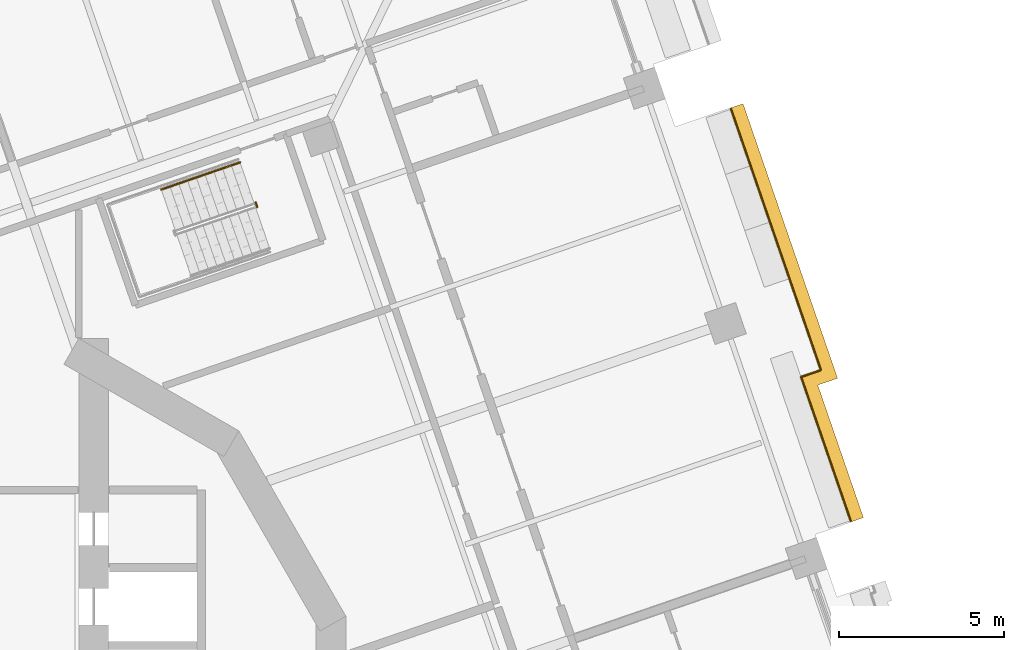
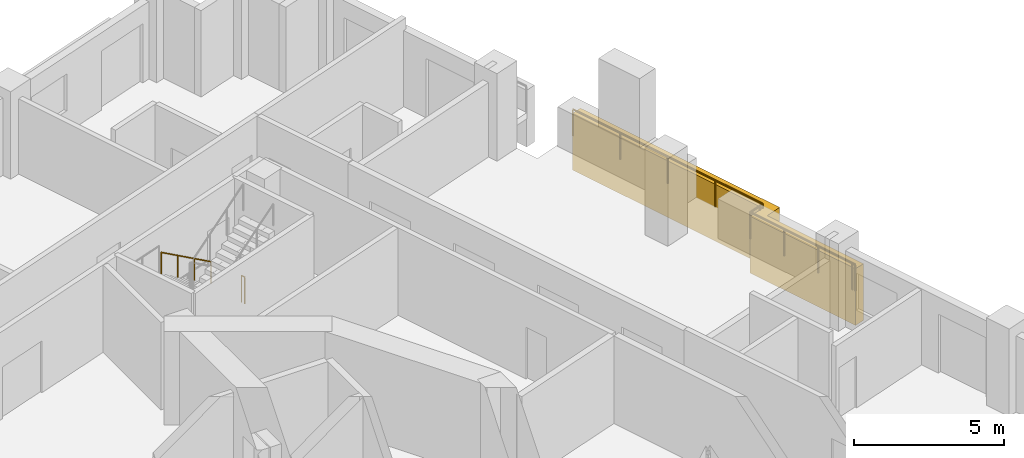
# One storey, part 17 of 19: 3 railings, 1 covering.
"""IFC4 building model written with IfcOpenShell, lengths in metres."""

from ifc_helpers import new_model, si_unit, direction, frame, origin, origin_2d, place, context, subcontext, project, spatial, polyline, circle, outline, extrude, material, type_object, element, save


model = new_model("IFC4")

# Units and contexts
model_context = context("Model", 3, precision=1e-05, world=origin(), true_north=direction((0.0, 1.0)))
body_context = subcontext(model_context, "Body", "Model", "MODEL_VIEW")
ifc_project = project(units=[si_unit("LENGTHUNIT", "METRE"), si_unit("AREAUNIT", "SQUARE_METRE"), si_unit("VOLUMEUNIT", "CUBIC_METRE"), si_unit("PLANEANGLEUNIT", "RADIAN"), si_unit("MASSUNIT", "GRAM", prefix="KILO")], contexts=[model_context])

# Site, building, storey
site_placement = place(None, origin())
site = spatial("IfcSite", under=ifc_project, at=site_placement, CompositionType="ELEMENT")
building_placement = place(site_placement, origin())
building = spatial("IfcBuilding", under=site, at=building_placement, Name="Cantera Rosa Tower", CompositionType="ELEMENT")
storey_placement = place(building_placement, frame((0.0, 0.0, 123.10009765625)))
storey = spatial("IfcBuildingStorey", under=building, at=storey_placement, Name="L25", CompositionType="ELEMENT", Elevation=123.10009765625)

# Railings
ifc_material_1 = material(Name="Stainless steel and laminated glass", Category="steel")
railing_type_1 = type_object("IfcRailingType", Name="GUARD 1100", PredefinedType="BALUSTRADE", material=ifc_material_1)
railing_1_placement = place(storey_placement, frame((23.713134765625, 18.582763671875, 0.0)))
element("IfcRailing", 1, at=railing_1_placement, inside=storey, type_object=railing_type_1, Name="GUARD L25-12", PredefinedType="BALUSTRADE", context=body_context, shape_type="SweptSolid", body=[
    extrude(circle(Radius=0.030029296875, at=origin_2d()), frame((0.0, 0.0, 1.070068359375), z_axis=(0.325567716601, -0.945518726365, 0.0), x_axis=(0.945518726365, 0.325567716601, 0.0)), (0.0, 0.0, 1.0), 8.361328125),
    extrude(circle(Radius=0.030029296875, at=origin_2d()), frame((2.72216796875, -7.90576171875, 1.070068359375), z_axis=(-0.945545797087, -0.325489086777, 0.0), x_axis=(0.325489086777, -0.945545797087, 0.0)), (0.0, 0.0, 1.0), 0.14990234375),
    extrude(circle(Radius=0.030029296875, at=origin_2d()), frame((2.580322265625, -7.95458984375, 1.070068359375), z_axis=(-0.94547584758, -0.325692219193, 0.0), x_axis=(0.325692219193, -0.94547584758, 0.0)), (0.0, 0.0, 1.0), 0.47900390625),
    extrude(circle(Radius=0.030029296875, at=origin_2d()), frame((2.12744140625, -8.110595703125, 1.070068359375), z_axis=(-0.933345606203, -0.358979079309, 0.0), x_axis=(0.358979079309, -0.933345606203, 0.0)), (0.0, 0.0, 1.0), 0.00341796875),
    extrude(circle(Radius=0.030029296875, at=origin_2d()), frame((2.124267578125, -8.11181640625, 1.070068359375), z_axis=(0.274721127897, -0.961523947641, 0.0), x_axis=(0.961523947641, 0.274721127897, 0.0)), (0.0, 0.0, 1.0), 0.003662109375),
    extrude(circle(Radius=0.030029296875, at=origin_2d()), frame((2.125244140625, -8.115234375, 1.070068359375), z_axis=(0.325548760318, -0.945525253315, 0.0), x_axis=(0.945525253315, 0.325548760318, 0.0)), (0.0, 0.0, 1.0), 4.4951171875),
    extrude(circle(Radius=0.030029296875, at=origin_2d()), frame((3.588623046875, -12.365478515625, 1.070068359375), z_axis=(0.4472135955, -0.894427191, 0.0), x_axis=(0.894427191, 0.4472135955, 0.0)), (0.0, 0.0, 1.0), 0.00048828125),
    extrude(circle(Radius=0.030029296875, at=origin_2d()), frame((3.5888671875, -12.365966796875, 1.070068359375), z_axis=(0.324794306508, -0.945784678698, 0.0), x_axis=(0.945784678698, 0.324794306508, 0.0)), (0.0, 0.0, 1.0), 0.11962890625),
    extrude(circle(Radius=0.02490234375, at=origin_2d()), origin(), (0.0, 0.0, 1.0), 1.0400390625),
    extrude(circle(Radius=0.02490234375, at=origin_2d()), frame((0.6806640625, -1.9765625, 0.0)), (0.0, 0.0, 1.0), 1.0400390625),
    extrude(circle(Radius=0.02490234375, at=origin_2d()), frame((1.361083984375, -3.952880859375, 0.0)), (0.0, 0.0, 1.0), 1.0400390625),
    extrude(circle(Radius=0.02490234375, at=origin_2d()), frame((2.04150390625, -5.92919921875, 0.0)), (0.0, 0.0, 1.0), 1.0400390625),
    extrude(circle(Radius=0.02490234375, at=origin_2d()), frame((2.72216796875, -7.90576171875, 0.0)), (0.0, 0.0, 1.0), 1.0400390625),
    extrude(circle(Radius=0.02490234375, at=origin_2d()), frame((2.580322265625, -7.95458984375, 0.0)), (0.0, 0.0, 1.0), 1.0400390625),
    extrude(circle(Radius=0.02490234375, at=origin_2d()), frame((2.12744140625, -8.110595703125, 0.0)), (0.0, 0.0, 1.0), 1.0400390625),
    extrude(circle(Radius=0.02490234375, at=origin_2d()), frame((2.124267578125, -8.11181640625, 0.0)), (0.0, 0.0, 1.0), 1.0400390625),
    extrude(circle(Radius=0.02490234375, at=origin_2d()), frame((2.125244140625, -8.115234375, 0.0)), (0.0, 0.0, 1.0), 1.0400390625),
    extrude(circle(Radius=0.02490234375, at=origin_2d()), frame((2.613037109375, -9.531982421875, 0.0)), (0.0, 0.0, 1.0), 1.0400390625),
    extrude(circle(Radius=0.02490234375, at=origin_2d()), frame((3.100830078125, -10.94873046875, 0.0)), (0.0, 0.0, 1.0), 1.0400390625),
    extrude(circle(Radius=0.02490234375, at=origin_2d()), frame((3.588623046875, -12.365478515625, 0.0)), (0.0, 0.0, 1.0), 1.0400390625),
    extrude(circle(Radius=0.02490234375, at=origin_2d()), frame((3.5888671875, -12.365966796875, 0.0)), (0.0, 0.0, 1.0), 1.0400390625),
    extrude(circle(Radius=0.02490234375, at=origin_2d()), frame((3.627685546875, -12.47900390625, 0.0)), (0.0, 0.0, 1.0), 1.0400390625),
])
ifc_material_2 = material(Name="Steel S355J2 (EN 10025-2)", Category="steel")
railing_type_2 = type_object("IfcRailingType", Name="STAIR GUARD 1100", PredefinedType="GUARDRAIL", material=ifc_material_2)
railing_2_placement = place(storey_placement, frame((9.3466796875, 15.742919921875, 0.0)))
element("IfcRailing", 2, at=railing_2_placement, inside=storey, type_object=railing_type_2, Name="L25 ST-21 stair guard 3", PredefinedType="GUARDRAIL", context=body_context, shape_type="SweptSolid", body=[
    extrude(circle(Radius=0.02392578125, at=origin_2d()), frame((0.0, 0.0, 1.076171875), z_axis=(0.325489086777, -0.945545797087, 0.0), x_axis=(0.945545797087, 0.325489086777, 0.0)), (0.0, 0.0, 1.0), 0.14990234375),
    extrude(circle(Radius=0.02099609375, at=origin_2d()), origin(), (0.0, 0.0, 1.0), 1.052001953125),
    extrude(circle(Radius=0.02099609375, at=origin_2d()), frame((0.048828125, -0.141845703125, 0.0)), (0.0, 0.0, 1.0), 1.052001953125),
])
ifc_material_3 = material(Name="Steel S355J2 (EN 10025-2)", Category="steel")
railing_type_3 = type_object("IfcRailingType", Name="STAIR HANDRAIL 900", PredefinedType="HANDRAIL", material=ifc_material_3)
railing_3_placement = place(storey_placement, frame((8.8759765625, 16.955810546875, 0.18994140625)))
element("IfcRailing", 3, at=railing_3_placement, inside=storey, type_object=railing_type_3, Name="L25 ST-21 stair handrail 1", PredefinedType="HANDRAIL", context=body_context, shape_type="SweptSolid", body=[
    extrude(circle(Radius=0.02392578125, at=origin_2d()), frame((0.0, 0.0, 0.8759765625), z_axis=(-0.782389970342, -0.269374966733, 0.561518531845), x_axis=(0.325542759796, -0.945527319301, 0.0)), (0.0, 0.0, 1.0), 3.045166015625),
    extrude(circle(Radius=0.02099609375, at=origin_2d()), origin(), (0.0, 0.0, 1.0), 0.851806640625),
    extrude(circle(Radius=0.02099609375, at=origin_2d()), frame((-0.794189453125, -0.2734375, 0.570068359375)), (0.0, 0.0, 1.0), 0.851806640625),
    extrude(circle(Radius=0.02099609375, at=origin_2d()), frame((-1.58837890625, -0.546875, 1.139892578125)), (0.0, 0.0, 1.0), 0.851806640625),
    extrude(circle(Radius=0.02099609375, at=origin_2d()), frame((-2.382568359375, -0.8203125, 1.7099609375)), (0.0, 0.0, 1.0), 0.851806640625),
])

# Covering
ifc_material_4 = material(Name="Cantera stone", Category="masonry")
covering_type = type_object("IfcCoveringType", Name="TRAY FASCIA 400", PredefinedType="CLADDING", material=ifc_material_4)
covering_placement = place(storey_placement, frame((0.0, 0.0, -1.400146484375)))
element("IfcCovering", 4, at=covering_placement, inside=storey, type_object=covering_type, Name="TRAY FASCIA L25-07", PredefinedType="CLADDING", context=body_context, shape_type="SweptSolid", body=[
    extrude(outline(polyline([(26.94384765625, 10.428955078125), (26.345458984375, 10.22314453125), (27.7255859375, 6.215087890625), (27.347412109375, 6.0849609375), (25.837158203125, 10.470947265625), (26.435302734375, 10.677001953125), (23.706787109375, 18.6015625), (24.0849609375, 18.731689453125), (26.94384765625, 10.428955078125)])), origin(), (0.0, 0.0, 1.0), 2.300048828125),
])

save(model, "model.ifc")
